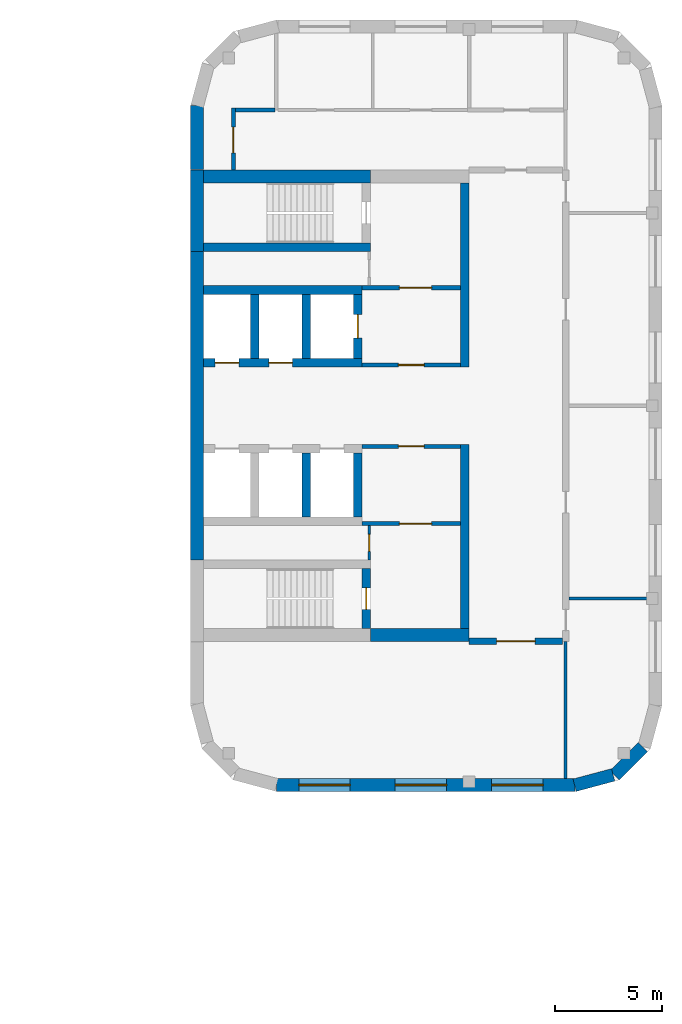
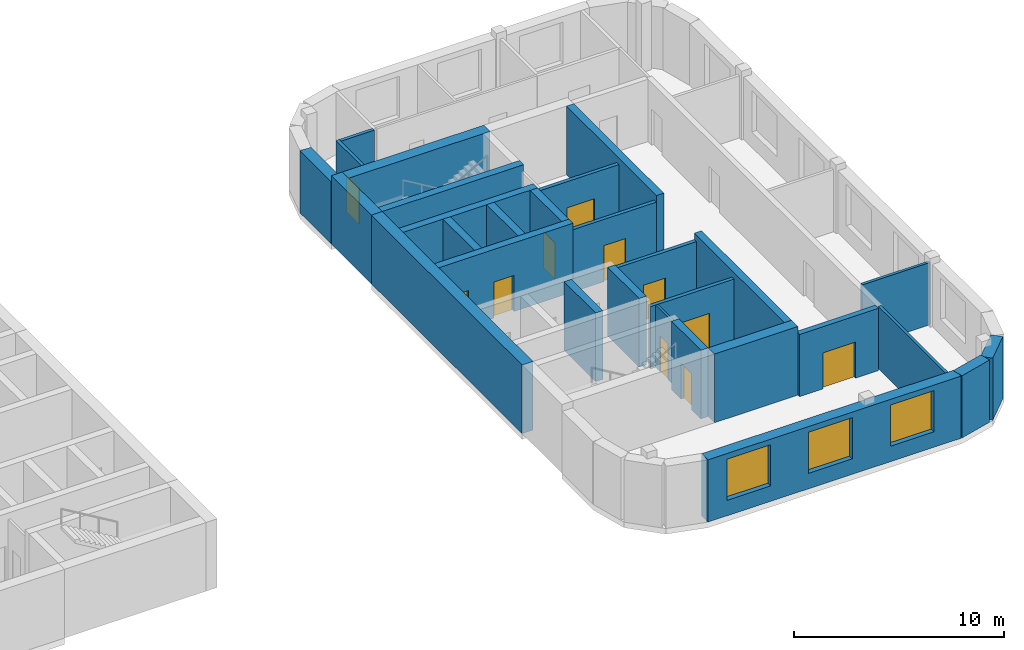
# One storey, part 7 of 10: 29 walls, 11 doors, 3 windows, 14 openings.
"""IFC4 building model written with IfcOpenShell, lengths in metres."""

from ifc_helpers import new_model, si_unit, direction, frame, frame_2d, origin, place, context, subcontext, project, spatial, rectangle, extrude, material, layer, layer_set, type_object, element, fill, save


model = new_model("IFC4")

# Units and contexts
model_context = context("Model", 3, precision=1e-05, world=origin(), true_north=direction((0.0, 1.0)))
body_context = subcontext(model_context, "Body", "Model", "MODEL_VIEW")
ifc_project = project(units=[si_unit("LENGTHUNIT", "METRE"), si_unit("AREAUNIT", "SQUARE_METRE"), si_unit("VOLUMEUNIT", "CUBIC_METRE"), si_unit("PLANEANGLEUNIT", "RADIAN"), si_unit("MASSUNIT", "GRAM", prefix="KILO")], contexts=[model_context])

# Site, building, storey
site_placement = place(None, origin())
site = spatial("IfcSite", under=ifc_project, at=site_placement, CompositionType="ELEMENT")
building_placement = place(site_placement, origin())
building = spatial("IfcBuilding", under=site, at=building_placement, Name="Skarvind Civic Tower", CompositionType="ELEMENT")
storey_placement = place(building_placement, frame((0.0, 0.0, 97.0)))
storey = spatial("IfcBuildingStorey", under=building, at=storey_placement, Name="L22", CompositionType="ELEMENT", Elevation=97.0)

# Wall, opening, door
ifc_material_1 = material(Name="Acoustic gypsum board on steel studs", Category="steel")
ifc_layer_1 = layer(ifc_material_1, 0.175048828125)
ifc_layer_set_1 = layer_set([ifc_layer_1], Name="ACOUSTIC MEETING-ROOM PARTITION 175")
wall_type_1 = type_object("IfcWallType", Name="ACOUSTIC MEETING-ROOM PARTITION 175", PredefinedType="PARTITIONING", material=ifc_layer_set_1)
wall_1_placement = place(storey_placement, frame((129.0, 139.0, 0.0), z_axis=(0.0, 0.0, 1.0), x_axis=(0.0, 1.0, 0.0)))
wall_1 = element("IfcWall", 1, at=wall_1_placement, inside=storey, type_object=wall_type_1, Name="Partition 22.001", PredefinedType="PARTITIONING", context=body_context, shape_type="SweptSolid", body=[
    extrude(rectangle(XDim=2.887939453125, YDim=0.175048828125, at=frame_2d((1.44384765625, 0.0))), origin(), (0.0, 0.0, 1.0), 3.625),
])
opening_1_placement = place(wall_1_placement, frame((0.800048828125, 0.0, 0.0)))
opening_1 = element("IfcOpeningElement", 2, at=opening_1_placement, cuts=wall_1, Name="Opening L22-D110", PredefinedType="OPENING", context=body_context, shape_type="SweptSolid", body=[
    extrude(rectangle(XDim=1.199951171875, YDim=2.10009765625, at=frame_2d((0.60009765625, 1.050048828125))), frame((0.0, 0.097412109375, 0.0), z_axis=(0.0, -1.0, 0.0), x_axis=(1.0, 0.0, 0.0)), (0.0, 0.0, 1.0), 0.195068359375),
])
ifc_material_2 = material(Name="Timber door leaf", Category="wood")
door_type_1 = type_object("IfcDoorType", Name="DOOR 1200X2100 DOUBLE TIMBER", OperationType="NOTDEFINED", PredefinedType="DOOR", material=ifc_material_2)
door_1_placement = place(opening_1_placement, origin())
door_1 = element("IfcDoor", 3, at=door_1_placement, inside=storey, type_object=door_type_1, Name="Door L22-D110", OperationType="DOUBLE_DOOR_SINGLE_SWING", OverallHeight=2.10009765625, OverallWidth=1.199951171875, PredefinedType="DOOR", context=body_context, shape_type="SweptSolid", body=[
    extrude(rectangle(XDim=1.199951171875, YDim=2.10009765625, at=frame_2d((0.60009765625, 1.050048828125))), frame((0.0, 0.02490234375, 0.0), z_axis=(0.0, -1.0, 0.0), x_axis=(1.0, 0.0, 0.0)), (0.0, 0.0, 1.0), 0.050048828125),
])
fill(opening_1, door_1)

# Wall
wall_2_placement = place(storey_placement, frame((129.087890625, 141.800048828125, 0.0), z_axis=(0.0, 0.0, 1.0), x_axis=(1.0, 0.0, 0.0)))
element("IfcWall", 4, at=wall_2_placement, inside=storey, type_object=wall_type_1, Name="Partition 22.002", PredefinedType="PARTITIONING", context=body_context, shape_type="SweptSolid", body=[
    extrude(rectangle(XDim=1.85302734375, YDim=0.175048828125, at=frame_2d((0.926513671875, 0.0))), origin(), (0.0, 0.0, 1.0), 3.625),
])

# Wall, opening, door
ifc_material_3 = material(Name="Fire-rated gypsum board on steel studs", Category="steel")
ifc_layer_2 = layer(ifc_material_3, 0.300048828125)
ifc_layer_set_2 = layer_set([ifc_layer_2], Name="CORRIDOR WALL 300")
wall_type_2 = type_object("IfcWallType", Name="CORRIDOR WALL 300", PredefinedType="PARTITIONING", material=ifc_layer_set_2)
wall_3_placement = place(storey_placement, frame((144.35009765625, 117.0, 0.0), z_axis=(0.0, 0.0, 1.0), x_axis=(-1.0, 0.0, 0.0)))
wall_3 = element("IfcWall", 5, at=wall_3_placement, inside=storey, type_object=wall_type_2, Name="Partition 22.009", PredefinedType="PARTITIONING", context=body_context, shape_type="SweptSolid", body=[
    extrude(rectangle(XDim=4.35009765625, YDim=0.300048828125, at=frame_2d((2.175048828125, 0.0))), origin(), (0.0, 0.0, 1.0), 3.625),
])
opening_2_placement = place(wall_3_placement, frame((1.2666015625, 0.0, 0.0)))
opening_2 = element("IfcOpeningElement", 6, at=opening_2_placement, cuts=wall_3, Name="Opening L22-D105", PredefinedType="OPENING", context=body_context, shape_type="SweptSolid", body=[
    extrude(rectangle(XDim=1.800048828125, YDim=2.10009765625, at=frame_2d((0.89990234375, 1.050048828125))), frame((0.0, 0.159912109375, 0.0), z_axis=(0.0, -1.0, 0.0), x_axis=(1.0, 0.0, 0.0)), (0.0, 0.0, 1.0), 0.320068359375),
])
ifc_material_4 = material(Name="Fire-rated timber door leaf", Category="wood")
door_type_2 = type_object("IfcDoorType", Name="FD4 1800x2100", OperationType="NOTDEFINED", PredefinedType="DOOR", material=ifc_material_4)
door_2_placement = place(opening_2_placement, origin())
door_2 = element("IfcDoor", 7, at=door_2_placement, inside=storey, type_object=door_type_2, Name="Door L22-D105", OperationType="DOUBLE_DOOR_SINGLE_SWING", OverallHeight=2.10009765625, OverallWidth=1.800048828125, PredefinedType="DOOR", context=body_context, shape_type="SweptSolid", body=[
    extrude(rectangle(XDim=1.800048828125, YDim=2.10009765625, at=frame_2d((0.89990234375, 1.050048828125))), frame((0.0, 0.02490234375, 0.0), z_axis=(0.0, -1.0, 0.0), x_axis=(1.0, 0.0, 0.0)), (0.0, 0.0, 1.0), 0.050048828125),
])
fill(opening_2, door_2)

ifc_material_5 = material(Name="Fire-rated masonry partition", Category="masonry")
ifc_layer_3 = layer(ifc_material_5, 0.199951171875)
ifc_layer_set_3 = layer_set([ifc_layer_3], Name="Core enclosure wall 200")
wall_type_3 = type_object("IfcWallType", Name="Core enclosure wall 200", PredefinedType="PARTITIONING", material=ifc_layer_set_3)
wall_4_placement = place(storey_placement, frame((135.0, 129.89990234375, 0.0), z_axis=(0.0, 0.0, 1.0), x_axis=(1.0, 0.0, 0.0)))
wall_4 = element("IfcWall", 8, at=wall_4_placement, inside=storey, type_object=wall_type_3, Name="Core wall CA", PredefinedType="PARTITIONING", context=body_context, shape_type="SweptSolid", body=[
    extrude(rectangle(XDim=4.60009765625, YDim=0.199951171875, at=frame_2d((2.300048828125, 0.0))), origin(), (0.0, 0.0, 1.0), 3.625),
])
opening_3_placement = place(wall_4_placement, frame((1.699951171875, 0.0, 0.0)))
opening_3 = element("IfcOpeningElement", 9, at=opening_3_placement, cuts=wall_4, Name="Opening D-L22-CA-06", PredefinedType="OPENING", context=body_context, shape_type="SweptSolid", body=[
    extrude(rectangle(XDim=1.199951171875, YDim=2.10009765625, at=frame_2d((0.60009765625, 1.050048828125))), frame((0.0, 0.10986328125, 0.0), z_axis=(0.0, -1.0, 0.0), x_axis=(1.0, 0.0, 0.0)), (0.0, 0.0, 1.0), 0.219970703125),
])
ifc_material_6 = material(Name="Fire-rated steel door", Category="steel")
door_type_3 = type_object("IfcDoorType", Name="Core lobby door 1200", OperationType="NOTDEFINED", PredefinedType="DOOR", material=ifc_material_6)
door_3_placement = place(opening_3_placement, origin())
door_3 = element("IfcDoor", 10, at=door_3_placement, inside=storey, type_object=door_type_3, Name="Fire door", OperationType="DOUBLE_DOOR_SINGLE_SWING", OverallHeight=2.10009765625, OverallWidth=1.199951171875, PredefinedType="DOOR", context=body_context, shape_type="SweptSolid", body=[
    extrude(rectangle(XDim=1.199951171875, YDim=2.10009765625, at=frame_2d((0.60009765625, 1.050048828125))), frame((0.0, 0.02490234375, 0.0), z_axis=(0.0, -1.0, 0.0), x_axis=(1.0, 0.0, 0.0)), (0.0, 0.0, 1.0), 0.050048828125),
])
fill(opening_3, door_3)

wall_5_placement = place(storey_placement, frame((135.0, 133.5, 0.0), z_axis=(0.0, 0.0, 1.0), x_axis=(1.0, 0.0, 0.0)))
wall_5 = element("IfcWall", 11, at=wall_5_placement, inside=storey, type_object=wall_type_3, Name="Core wall CA", PredefinedType="PARTITIONING", context=body_context, shape_type="SweptSolid", body=[
    extrude(rectangle(XDim=4.60009765625, YDim=0.199951171875, at=frame_2d((2.300048828125, 0.0))), origin(), (0.0, 0.0, 1.0), 3.625),
])
opening_4_placement = place(wall_5_placement, frame((1.75, 0.0, 0.0)))
opening_4 = element("IfcOpeningElement", 12, at=opening_4_placement, cuts=wall_5, Name="Opening D-L22-CA-07", PredefinedType="OPENING", context=body_context, shape_type="SweptSolid", body=[
    extrude(rectangle(XDim=1.5, YDim=2.10009765625, at=frame_2d((0.75, 1.050048828125))), frame((0.0, 0.10986328125, 0.0), z_axis=(0.0, -1.0, 0.0), x_axis=(1.0, 0.0, 0.0)), (0.0, 0.0, 1.0), 0.219970703125),
])
door_type_4 = type_object("IfcDoorType", Name="Fire door 1500", OperationType="NOTDEFINED", PredefinedType="DOOR", material=ifc_material_6)
door_4_placement = place(opening_4_placement, origin())
door_4 = element("IfcDoor", 13, at=door_4_placement, inside=storey, type_object=door_type_4, Name="Fire door", OperationType="DOUBLE_DOOR_SINGLE_SWING", OverallHeight=2.10009765625, OverallWidth=1.5, PredefinedType="DOOR", context=body_context, shape_type="SweptSolid", body=[
    extrude(rectangle(XDim=1.5, YDim=2.10009765625, at=frame_2d((0.75, 1.050048828125))), frame((0.0, 0.02490234375, 0.0), z_axis=(0.0, -1.0, 0.0), x_axis=(1.0, 0.0, 0.0)), (0.0, 0.0, 1.0), 0.050048828125),
])
fill(opening_4, door_4)

wall_6_placement = place(storey_placement, frame((139.60009765625, 126.10009765625, 0.0), z_axis=(0.0, 0.0, 1.0), x_axis=(-1.0, 0.0, 0.0)))
wall_6 = element("IfcWall", 14, at=wall_6_placement, inside=storey, type_object=wall_type_3, Name="Core wall CA", PredefinedType="PARTITIONING", context=body_context, shape_type="SweptSolid", body=[
    extrude(rectangle(XDim=4.60009765625, YDim=0.199951171875, at=frame_2d((2.300048828125, 0.0))), origin(), (0.0, 0.0, 1.0), 3.625),
])
opening_5_placement = place(wall_6_placement, frame((1.699951171875, 0.0, 0.0)))
opening_5 = element("IfcOpeningElement", 15, at=opening_5_placement, cuts=wall_6, Name="Opening D-L22-CA-10", PredefinedType="OPENING", context=body_context, shape_type="SweptSolid", body=[
    extrude(rectangle(XDim=1.199951171875, YDim=2.10009765625, at=frame_2d((0.60009765625, 1.050048828125))), frame((0.0, 0.10986328125, 0.0), z_axis=(0.0, -1.0, 0.0), x_axis=(1.0, 0.0, 0.0)), (0.0, 0.0, 1.0), 0.219970703125),
])
door_5_placement = place(opening_5_placement, origin())
door_5 = element("IfcDoor", 16, at=door_5_placement, inside=storey, type_object=door_type_3, Name="Fire door", OperationType="DOUBLE_DOOR_SINGLE_SWING", OverallHeight=2.10009765625, OverallWidth=1.199951171875, PredefinedType="DOOR", context=body_context, shape_type="SweptSolid", body=[
    extrude(rectangle(XDim=1.199951171875, YDim=2.10009765625, at=frame_2d((0.60009765625, 1.050048828125))), frame((0.0, 0.02490234375, 0.0), z_axis=(0.0, -1.0, 0.0), x_axis=(1.0, 0.0, 0.0)), (0.0, 0.0, 1.0), 0.050048828125),
])
fill(opening_5, door_5)

wall_7_placement = place(storey_placement, frame((139.60009765625, 122.5, 0.0), z_axis=(0.0, 0.0, 1.0), x_axis=(-1.0, 0.0, 0.0)))
wall_7 = element("IfcWall", 17, at=wall_7_placement, inside=storey, type_object=wall_type_3, Name="Core wall CA", PredefinedType="PARTITIONING", context=body_context, shape_type="SweptSolid", body=[
    extrude(rectangle(XDim=4.60009765625, YDim=0.199951171875, at=frame_2d((2.300048828125, 0.0))), origin(), (0.0, 0.0, 1.0), 3.625),
])
opening_6_placement = place(wall_7_placement, frame((1.35009765625, 0.0, 0.0)))
opening_6 = element("IfcOpeningElement", 18, at=opening_6_placement, cuts=wall_7, Name="Opening D-L22-CA-11", PredefinedType="OPENING", context=body_context, shape_type="SweptSolid", body=[
    extrude(rectangle(XDim=1.5, YDim=2.10009765625, at=frame_2d((0.75, 1.050048828125))), frame((0.0, 0.10986328125, 0.0), z_axis=(0.0, -1.0, 0.0), x_axis=(1.0, 0.0, 0.0)), (0.0, 0.0, 1.0), 0.219970703125),
])
door_6_placement = place(opening_6_placement, origin())
door_6 = element("IfcDoor", 19, at=door_6_placement, inside=storey, type_object=door_type_4, Name="Fire door", OperationType="DOUBLE_DOOR_SINGLE_SWING", OverallHeight=2.10009765625, OverallWidth=1.5, PredefinedType="DOOR", context=body_context, shape_type="SweptSolid", body=[
    extrude(rectangle(XDim=1.5, YDim=2.10009765625, at=frame_2d((0.75, 1.050048828125))), frame((0.0, 0.02490234375, 0.0), z_axis=(0.0, -1.0, 0.0), x_axis=(1.0, 0.0, 0.0)), (0.0, 0.0, 1.0), 0.050048828125),
])
fill(opening_6, door_6)

ifc_material_7 = material(Name="Concrete C80", Category="concrete")
ifc_layer_4 = layer(ifc_material_7, 0.39990234375)
ifc_layer_set_4 = layer_set([ifc_layer_4], Name="Core wall 400 C80")
wall_type_4 = type_object("IfcWallType", Name="Core wall 400 C80", PredefinedType="SHEAR", material=ifc_layer_set_4)
wall_8_placement = place(storey_placement, frame((135.199951171875, 117.60009765625, 0.0), z_axis=(0.0, 0.0, 1.0), x_axis=(0.0, 1.0, 0.0)))
wall_8 = element("IfcWall", 20, at=wall_8_placement, inside=storey, type_object=wall_type_4, Name="Core wall CA south stair end L22", PredefinedType="SHEAR", context=body_context, shape_type="SweptSolid", body=[
    extrude(rectangle(XDim=2.7998046875, YDim=0.39990234375, at=frame_2d((1.39990234375, 0.0))), origin(), (0.0, 0.0, 1.0), 4.0),
])
opening_7_placement = place(wall_8_placement, frame((0.89990234375, 0.0, 0.0)))
opening_7 = element("IfcOpeningElement", 21, at=opening_7_placement, cuts=wall_8, Name="Opening D-L22-CA-12", PredefinedType="OPENING", context=body_context, shape_type="SweptSolid", body=[
    extrude(rectangle(XDim=1.0, YDim=2.10009765625, at=frame_2d((0.5, 1.050048828125))), frame((0.0, 0.2099609375, 0.0), z_axis=(0.0, -1.0, 0.0), x_axis=(1.0, 0.0, 0.0)), (0.0, 0.0, 1.0), 0.419921875),
])
door_type_5 = type_object("IfcDoorType", Name="Fire door 1000", OperationType="NOTDEFINED", PredefinedType="DOOR", material=ifc_material_6)
door_7_placement = place(opening_7_placement, origin())
door_7 = element("IfcDoor", 22, at=door_7_placement, inside=storey, type_object=door_type_5, Name="Fire door", OperationType="SINGLE_SWING_RIGHT", OverallHeight=2.10009765625, OverallWidth=1.0, PredefinedType="DOOR", context=body_context, shape_type="SweptSolid", body=[
    extrude(rectangle(XDim=1.0, YDim=2.10009765625, at=frame_2d((0.5, 1.050048828125))), frame((0.0, 0.02490234375, 0.0), z_axis=(0.0, -1.0, 0.0), x_axis=(1.0, 0.0, 0.0)), (0.0, 0.0, 1.0), 0.050048828125),
])
fill(opening_7, door_7)

# Walls
wall_9_placement = place(storey_placement, frame((127.60009765625, 135.39990234375, 0.0), z_axis=(0.0, 0.0, 1.0), x_axis=(1.0, 0.0, 0.0)))
element("IfcWall", 23, at=wall_9_placement, inside=storey, type_object=wall_type_4, Name="Core wall CA north stair inner L22", PredefinedType="SHEAR", context=body_context, shape_type="SweptSolid", body=[
    extrude(rectangle(XDim=7.7998046875, YDim=0.39990234375, at=frame_2d((3.89990234375, 0.0))), origin(), (0.0, 0.0, 1.0), 4.0),
])
for number, where, z_axis, x_axis, name in (
    (24, (132.39990234375, 122.800048828125, 0.0), (0.0, 0.0, 1.0), (0.0, 1.0, 0.0), "Core wall CA south lift row division 2 L22"),
    (25, (134.800048828125, 122.800048828125, 0.0), (0.0, 0.0, 1.0), (0.0, 1.0, 0.0), "Core wall CA south lift row division 3 L22"),
):
    element("IfcWall", number, at=place(storey_placement, frame(where, z_axis=z_axis, x_axis=x_axis)), inside=storey, type_object=wall_type_4, Name=name, PredefinedType="SHEAR", context=body_context, shape_type="SweptSolid", body=[
        extrude(rectangle(XDim=3.0, YDim=0.39990234375, at=frame_2d((1.5, 0.0))), origin(), (0.0, 0.0, 1.0), 4.0),
    ])

# Wall, openings, doors
wall_10_placement = place(storey_placement, frame((127.60009765625, 130.0, 0.0), z_axis=(0.0, 0.0, 1.0), x_axis=(1.0, 0.0, 0.0)))
wall_10 = element("IfcWall", 26, at=wall_10_placement, inside=storey, type_object=wall_type_4, Name="Core wall CA north lift row front L22", PredefinedType="SHEAR", context=body_context, shape_type="SweptSolid", body=[
    extrude(rectangle(XDim=7.39990234375, YDim=0.39990234375, at=frame_2d((3.699951171875, 0.0))), origin(), (0.0, 0.0, 1.0), 4.0),
])
opening_8_placement = place(wall_10_placement, frame((0.550048828125, 0.0, 0.0)))
opening_8 = element("IfcOpeningElement", 27, at=opening_8_placement, cuts=wall_10, Name="Opening LD24301", PredefinedType="OPENING", context=body_context, shape_type="SweptSolid", body=[
    extrude(rectangle(XDim=1.10009765625, YDim=2.10009765625, at=frame_2d((0.550048828125, 1.050048828125))), frame((0.0, 0.2099609375, 0.0), z_axis=(0.0, -1.0, 0.0), x_axis=(1.0, 0.0, 0.0)), (0.0, 0.0, 1.0), 0.419921875),
])
opening_9_placement = place(wall_10_placement, frame((3.050048828125, 0.0, 0.0)))
opening_9 = element("IfcOpeningElement", 28, at=opening_9_placement, cuts=wall_10, Name="Opening LD24302", PredefinedType="OPENING", context=body_context, shape_type="SweptSolid", body=[
    extrude(rectangle(XDim=1.10009765625, YDim=2.10009765625, at=frame_2d((0.550048828125, 1.050048828125))), frame((0.0, 0.2099609375, 0.0), z_axis=(0.0, -1.0, 0.0), x_axis=(1.0, 0.0, 0.0)), (0.0, 0.0, 1.0), 0.419921875),
])
ifc_material_8 = material(Name="Stainless steel landing door", Category="steel")
door_type_6 = type_object("IfcDoorType", Name="Lift landing door 1100", OperationType="DOUBLE_DOOR_SLIDING", PredefinedType="DOOR", material=ifc_material_8)
door_8_placement = place(opening_8_placement, origin())
door_8 = element("IfcDoor", 29, at=door_8_placement, inside=storey, type_object=door_type_6, Name="Lift landing door", OperationType="DOUBLE_DOOR_SLIDING", OverallHeight=2.10009765625, OverallWidth=1.10009765625, PredefinedType="DOOR", context=body_context, shape_type="SweptSolid", body=[
    extrude(rectangle(XDim=1.10009765625, YDim=2.10009765625, at=frame_2d((0.550048828125, 1.050048828125))), frame((0.0, 0.02490234375, 0.0), z_axis=(0.0, -1.0, 0.0), x_axis=(1.0, 0.0, 0.0)), (0.0, 0.0, 1.0), 0.050048828125),
])
fill(opening_8, door_8)
door_9_placement = place(opening_9_placement, origin())
door_9 = element("IfcDoor", 30, at=door_9_placement, inside=storey, type_object=door_type_6, Name="Lift landing door", OperationType="DOUBLE_DOOR_SLIDING", OverallHeight=2.10009765625, OverallWidth=1.10009765625, PredefinedType="DOOR", context=body_context, shape_type="SweptSolid", body=[
    extrude(rectangle(XDim=1.10009765625, YDim=2.10009765625, at=frame_2d((0.550048828125, 1.050048828125))), frame((0.0, 0.02490234375, 0.0), z_axis=(0.0, -1.0, 0.0), x_axis=(1.0, 0.0, 0.0)), (0.0, 0.0, 1.0), 0.050048828125),
])
fill(opening_9, door_9)

# Walls
wall_11_placement = place(storey_placement, frame((127.60009765625, 133.39990234375, 0.0), z_axis=(0.0, 0.0, 1.0), x_axis=(1.0, 0.0, 0.0)))
element("IfcWall", 31, at=wall_11_placement, inside=storey, type_object=wall_type_4, Name="Core wall CA north lift row back L22", PredefinedType="SHEAR", context=body_context, shape_type="SweptSolid", body=[
    extrude(rectangle(XDim=7.39990234375, YDim=0.39990234375, at=frame_2d((3.699951171875, 0.0))), origin(), (0.0, 0.0, 1.0), 4.0),
])
for number, where, z_axis, x_axis, name in (
    (32, (130.0, 130.199951171875, 0.0), (0.0, 0.0, 1.0), (0.0, 1.0, 0.0), "Core wall CA north lift row division 1 L22"),
    (33, (132.39990234375, 130.199951171875, 0.0), (0.0, 0.0, 1.0), (0.0, 1.0, 0.0), "Core wall CA north lift row division 2 L22"),
):
    element("IfcWall", number, at=place(storey_placement, frame(where, z_axis=z_axis, x_axis=x_axis)), inside=storey, type_object=wall_type_4, Name=name, PredefinedType="SHEAR", context=body_context, shape_type="SweptSolid", body=[
        extrude(rectangle(XDim=3.0, YDim=0.39990234375, at=frame_2d((1.5, 0.0))), origin(), (0.0, 0.0, 1.0), 4.0),
    ])

# Wall, opening, door
wall_12_placement = place(storey_placement, frame((134.800048828125, 130.199951171875, 0.0), z_axis=(0.0, 0.0, 1.0), x_axis=(0.0, 1.0, 0.0)))
wall_12 = element("IfcWall", 34, at=wall_12_placement, inside=storey, type_object=wall_type_4, Name="Core wall CA north lift row division 3 L22", PredefinedType="SHEAR", context=body_context, shape_type="SweptSolid", body=[
    extrude(rectangle(XDim=3.0, YDim=0.39990234375, at=frame_2d((1.5, 0.0))), origin(), (0.0, 0.0, 1.0), 4.0),
])
opening_10_placement = place(wall_12_placement, frame((0.949951171875, 0.0, 0.0)))
opening_10 = element("IfcOpeningElement", 35, at=opening_10_placement, cuts=wall_12, Name="Opening LD24303", PredefinedType="OPENING", context=body_context, shape_type="SweptSolid", body=[
    extrude(rectangle(XDim=1.10009765625, YDim=2.10009765625, at=frame_2d((0.550048828125, 1.050048828125))), frame((0.0, 0.2099609375, 0.0), z_axis=(0.0, -1.0, 0.0), x_axis=(1.0, 0.0, 0.0)), (0.0, 0.0, 1.0), 0.419921875),
])
door_10_placement = place(opening_10_placement, origin())
door_10 = element("IfcDoor", 36, at=door_10_placement, inside=storey, type_object=door_type_6, Name="Lift landing door", OperationType="DOUBLE_DOOR_SLIDING", OverallHeight=2.10009765625, OverallWidth=1.10009765625, PredefinedType="DOOR", context=body_context, shape_type="SweptSolid", body=[
    extrude(rectangle(XDim=1.10009765625, YDim=2.10009765625, at=frame_2d((0.550048828125, 1.050048828125))), frame((0.0, 0.02490234375, 0.0), z_axis=(0.0, -1.0, 0.0), x_axis=(1.0, 0.0, 0.0)), (0.0, 0.0, 1.0), 0.050048828125),
])
fill(opening_10, door_10)

# Walls
for number, where, z_axis, x_axis, name in (
    (37, (139.800048828125, 117.60009765625, 0.0), (0.0, 0.0, 1.0), (0.0, 1.0, 0.0), "Core wall CA south inner face L22"),
    (38, (139.800048828125, 129.800048828125, 0.0), (0.0, 0.0, 1.0), (0.0, 1.0, 0.0), "Core wall CA north inner face L22"),
):
    element("IfcWall", number, at=place(storey_placement, frame(where, z_axis=z_axis, x_axis=x_axis)), inside=storey, type_object=wall_type_4, Name=name, PredefinedType="SHEAR", context=body_context, shape_type="SweptSolid", body=[
        extrude(rectangle(XDim=8.599853515625, YDim=0.39990234375, at=frame_2d((4.2998046875, 0.0))), origin(), (0.0, 0.0, 1.0), 4.0),
    ])
ifc_layer_5 = layer(ifc_material_7, 0.60009765625)
ifc_layer_set_5 = layer_set([ifc_layer_5], Name="Core wall 600 C80")
wall_type_5 = type_object("IfcWallType", Name="Core wall 600 C80", PredefinedType="SHEAR", material=ifc_layer_set_5)
wall_13_placement = place(storey_placement, frame((127.300048828125, 120.800048828125, 0.0), z_axis=(0.0, 0.0, 1.0), x_axis=(0.0, 1.0, 0.0)))
element("IfcWall", 39, at=wall_13_placement, inside=storey, type_object=wall_type_5, Name="Core wall CA tip between the stairs L22", PredefinedType="SHEAR", context=body_context, shape_type="SweptSolid", body=[
    extrude(rectangle(XDim=14.39990234375, YDim=0.60009765625, at=frame_2d((7.199951171875, 0.0))), origin(), (0.0, 0.0, 1.0), 4.0),
])
wall_14_placement = place(storey_placement, frame((127.300048828125, 135.199951171875, 0.0), z_axis=(0.0, 0.0, 1.0), x_axis=(0.0, 1.0, 0.0)))
element("IfcWall", 40, at=wall_14_placement, inside=storey, type_object=wall_type_5, Name="Core wall CA tip at the north stair L22", PredefinedType="SHEAR", context=body_context, shape_type="SweptSolid", body=[
    extrude(rectangle(XDim=3.800048828125, YDim=0.60009765625, at=frame_2d((1.89990234375, 0.0))), origin(), (0.0, 0.0, 1.0), 4.0),
])
wall_15_placement = place(storey_placement, frame((127.60009765625, 138.699951171875, 0.0), z_axis=(0.0, 0.0, 1.0), x_axis=(1.0, 0.0, 0.0)))
element("IfcWall", 41, at=wall_15_placement, inside=storey, type_object=wall_type_5, Name="Core wall CA north side at the stair L22", PredefinedType="SHEAR", context=body_context, shape_type="SweptSolid", body=[
    extrude(rectangle(XDim=7.7998046875, YDim=0.60009765625, at=frame_2d((3.89990234375, 0.0))), origin(), (0.0, 0.0, 1.0), 4.0),
])
wall_16_placement = place(storey_placement, frame((135.39990234375, 117.300048828125, 0.0), z_axis=(0.0, 0.0, 1.0), x_axis=(1.0, 0.0, 0.0)))
element("IfcWall", 42, at=wall_16_placement, inside=storey, type_object=wall_type_5, Name="Core wall CA south side L22", PredefinedType="SHEAR", context=body_context, shape_type="SweptSolid", body=[
    extrude(rectangle(XDim=4.60009765625, YDim=0.60009765625, at=frame_2d((2.300048828125, 0.0))), origin(), (0.0, 0.0, 1.0), 4.0),
])
ifc_material_9 = material(Name="Plasterboard partition on steel studs", Category="steel")
ifc_layer_6 = layer(ifc_material_9, 0.14990234375)
ifc_layer_set_6 = layer_set([ifc_layer_6], Name="PARTITION 150")
wall_type_6 = type_object("IfcWallType", Name="PARTITION 150", PredefinedType="PARTITIONING", material=ifc_layer_set_6)
wall_17_placement = place(storey_placement, frame((144.5, 117.0, 0.0), z_axis=(0.0, 0.0, 1.0), x_axis=(0.0, -1.0, 0.0)))
element("IfcWall", 43, at=wall_17_placement, inside=storey, type_object=wall_type_6, Name="Partition 22.010", PredefinedType="PARTITIONING", context=body_context, shape_type="SweptSolid", body=[
    extrude(rectangle(XDim=6.39990234375, YDim=0.14990234375, at=frame_2d((3.199951171875, 0.0))), origin(), (0.0, 0.0, 1.0), 3.625),
])
wall_18_placement = place(storey_placement, frame((144.64990234375, 119.0, 0.0), z_axis=(0.0, 0.0, 1.0), x_axis=(1.0, 0.0, 0.0)))
element("IfcWall", 44, at=wall_18_placement, inside=storey, type_object=wall_type_6, Name="Partition 22.011", PredefinedType="PARTITIONING", context=body_context, shape_type="SweptSolid", body=[
    extrude(rectangle(XDim=3.75, YDim=0.14990234375, at=frame_2d((1.875, 0.0))), origin(), (0.0, 0.0, 1.0), 3.625),
])

# Wall, opening, door
ifc_layer_7 = layer(ifc_material_5, 0.125)
ifc_layer_set_7 = layer_set([ifc_layer_7], Name="Riser wall 125")
wall_type_7 = type_object("IfcWallType", Name="Riser wall 125", PredefinedType="PARTITIONING", material=ifc_layer_set_7)
wall_19_placement = place(storey_placement, frame((135.33740234375, 122.39990234375, 0.0), z_axis=(0.0, 0.0, 1.0), x_axis=(0.0, -1.0, 0.0)))
wall_19 = element("IfcWall", 45, at=wall_19_placement, inside=storey, type_object=wall_type_7, Name="Core wall CA", PredefinedType="PARTITIONING", context=body_context, shape_type="SweptSolid", body=[
    extrude(rectangle(XDim=1.599853515625, YDim=0.125, at=frame_2d((0.7998046875, 0.0))), origin(), (0.0, 0.0, 1.0), 3.625),
])
opening_11_placement = place(wall_19_placement, frame((0.39990234375, 0.0, 0.0)))
opening_11 = element("IfcOpeningElement", 46, at=opening_11_placement, cuts=wall_19, Name="Opening D-L22-CA-13", PredefinedType="OPENING", context=body_context, shape_type="SweptSolid", body=[
    extrude(rectangle(XDim=0.800048828125, YDim=2.10009765625, at=frame_2d((0.39990234375, 1.050048828125))), frame((0.0, 0.072509765625, 0.0), z_axis=(0.0, -1.0, 0.0), x_axis=(1.0, 0.0, 0.0)), (0.0, 0.0, 1.0), 0.14501953125),
])
door_type_7 = type_object("IfcDoorType", Name="Core riser door 800", OperationType="NOTDEFINED", PredefinedType="DOOR", material=ifc_material_6)
door_11_placement = place(opening_11_placement, origin())
door_11 = element("IfcDoor", 47, at=door_11_placement, inside=storey, type_object=door_type_7, Name="Riser door", OperationType="SINGLE_SWING_LEFT", OverallHeight=2.10009765625, OverallWidth=0.800048828125, PredefinedType="DOOR", context=body_context, shape_type="SweptSolid", body=[
    extrude(rectangle(XDim=0.800048828125, YDim=2.10009765625, at=frame_2d((0.39990234375, 1.050048828125))), frame((0.0, 0.02490234375, 0.0), z_axis=(0.0, -1.0, 0.0), x_axis=(1.0, 0.0, 0.0)), (0.0, 0.0, 1.0), 0.050048828125),
])
fill(opening_11, door_11)

# Wall
ifc_material_10 = material(Name="Limestone masonry cladding on insulated backing", Category="masonry")
ifc_layer_8 = layer(ifc_material_10, 0.60009765625)
ifc_layer_set_8 = layer_set([ifc_layer_8], Name="WX1 STONE FACADE WALL 600")
wall_type_8 = type_object("IfcWallType", Name="WX1 STONE FACADE WALL 600", PredefinedType="SOLIDWALL", material=ifc_layer_set_8)
wall_20_placement = place(storey_placement, frame((127.300048828125, 139.02001953125, 0.0), z_axis=(0.0, 0.0, 1.0), x_axis=(0.0, 1.0, 0.0)))
element("IfcWall", 48, at=wall_20_placement, inside=storey, type_object=wall_type_8, Name="STONE FACADE WALL", PredefinedType="SOLIDWALL", context=body_context, shape_type="SweptSolid", body=[
    extrude(rectangle(XDim=2.97998046875, YDim=0.60009765625, at=frame_2d((1.489990234375, 0.0))), origin(), (0.0, 0.0, 1.0), 3.625),
])

# Wall, openings, windows
wall_21_placement = place(storey_placement, frame((144.929931640625, 110.300048828125, 0.0), z_axis=(0.0, 0.0, 1.0), x_axis=(-1.0, 0.0, 0.0)))
wall_21 = element("IfcWall", 49, at=wall_21_placement, inside=storey, type_object=wall_type_8, Name="STONE FACADE WALL", PredefinedType="SOLIDWALL", context=body_context, shape_type="SweptSolid", body=[
    extrude(rectangle(XDim=13.929931640625, YDim=0.60009765625, at=frame_2d((6.96484375, 0.0))), origin(), (0.0, 0.0, 1.0), 3.625),
])
opening_12_placement = place(wall_21_placement, frame((1.47998046875, 0.0, 0.89990234375)))
opening_12 = element("IfcOpeningElement", 50, at=opening_12_placement, cuts=wall_21, Name="Opening WN9", PredefinedType="OPENING", context=body_context, shape_type="SweptSolid", body=[
    extrude(rectangle(XDim=2.39990234375, YDim=2.39990234375, at=frame_2d((1.199951171875, 1.199951171875))), frame((0.0, 0.31005859375, 0.0), z_axis=(0.0, -1.0, 0.0), x_axis=(1.0, 0.0, 0.0)), (0.0, 0.0, 1.0), 0.6201171875),
])
opening_13_placement = place(wall_21_placement, frame((5.97998046875, 0.0, 0.89990234375)))
opening_13 = element("IfcOpeningElement", 51, at=opening_13_placement, cuts=wall_21, Name="Opening WN9", PredefinedType="OPENING", context=body_context, shape_type="SweptSolid", body=[
    extrude(rectangle(XDim=2.39990234375, YDim=2.39990234375, at=frame_2d((1.199951171875, 1.199951171875))), frame((0.0, 0.31005859375, 0.0), z_axis=(0.0, -1.0, 0.0), x_axis=(1.0, 0.0, 0.0)), (0.0, 0.0, 1.0), 0.6201171875),
])
opening_14_placement = place(wall_21_placement, frame((10.47998046875, 0.0, 0.89990234375)))
opening_14 = element("IfcOpeningElement", 52, at=opening_14_placement, cuts=wall_21, Name="Opening WN9", PredefinedType="OPENING", context=body_context, shape_type="SweptSolid", body=[
    extrude(rectangle(XDim=2.39990234375, YDim=2.39990234375, at=frame_2d((1.199951171875, 1.199951171875))), frame((0.0, 0.31005859375, 0.0), z_axis=(0.0, -1.0, 0.0), x_axis=(1.0, 0.0, 0.0)), (0.0, 0.0, 1.0), 0.6201171875),
])
ifc_material_11 = material(Name="Timber frame, double glazing, timber-lined reveal", Category="wood")
window_type = type_object("IfcWindowType", Name="WN9 COMPANION TOWER WINDOW 2400 x 2400", PartitioningType="SINGLE_PANEL", PredefinedType="WINDOW", material=ifc_material_11)
window_1_placement = place(opening_12_placement, origin())
window_1 = element("IfcWindow", 53, at=window_1_placement, inside=storey, type_object=window_type, Name="WN9 WINDOW", OverallHeight=2.39990234375, OverallWidth=2.39990234375, PartitioningType="SINGLE_PANEL", PredefinedType="WINDOW", context=body_context, shape_type="SweptSolid", body=[
    extrude(rectangle(XDim=2.39990234375, YDim=2.39990234375, at=frame_2d((1.199951171875, 1.199951171875))), frame((0.0, 0.030029296875, 0.0), z_axis=(0.0, -1.0, 0.0), x_axis=(1.0, 0.0, 0.0)), (0.0, 0.0, 1.0), 0.06005859375),
])
fill(opening_12, window_1)
window_2_placement = place(opening_13_placement, origin())
window_2 = element("IfcWindow", 54, at=window_2_placement, inside=storey, type_object=window_type, Name="WN9 WINDOW", OverallHeight=2.39990234375, OverallWidth=2.39990234375, PartitioningType="SINGLE_PANEL", PredefinedType="WINDOW", context=body_context, shape_type="SweptSolid", body=[
    extrude(rectangle(XDim=2.39990234375, YDim=2.39990234375, at=frame_2d((1.199951171875, 1.199951171875))), frame((0.0, 0.030029296875, 0.0), z_axis=(0.0, -1.0, 0.0), x_axis=(1.0, 0.0, 0.0)), (0.0, 0.0, 1.0), 0.06005859375),
])
fill(opening_13, window_2)
window_3_placement = place(opening_14_placement, origin())
window_3 = element("IfcWindow", 55, at=window_3_placement, inside=storey, type_object=window_type, Name="WN9 WINDOW", OverallHeight=2.39990234375, OverallWidth=2.39990234375, PartitioningType="SINGLE_PANEL", PredefinedType="WINDOW", context=body_context, shape_type="SweptSolid", body=[
    extrude(rectangle(XDim=2.39990234375, YDim=2.39990234375, at=frame_2d((1.199951171875, 1.199951171875))), frame((0.0, 0.030029296875, 0.0), z_axis=(0.0, -1.0, 0.0), x_axis=(1.0, 0.0, 0.0)), (0.0, 0.0, 1.0), 0.06005859375),
])
fill(opening_14, window_3)

# Walls
for number, where, z_axis, x_axis, name in (
    (56, (146.719482421875, 110.771240234375, 0.0), (0.0, 0.0, 1.0), (-0.965938094805, -0.258773254036, 0.0), "STONE FACADE WALL"),
    (57, (148.103515625, 112.063720703125, 0.0), (0.0, 0.0, 1.0), (-0.707106781187, -0.707106781187, 0.0), "STONE FACADE WALL"),
):
    element("IfcWall", number, at=place(storey_placement, frame(where, z_axis=z_axis, x_axis=x_axis)), inside=storey, type_object=wall_type_8, Name=name, PredefinedType="SOLIDWALL", context=body_context, shape_type="SweptSolid", body=[
        extrude(rectangle(XDim=1.860595703125, YDim=0.60009765625, at=frame_2d((0.93017578125, 0.0))), origin(), (0.0, 0.0, 1.0), 3.625),
    ])

save(model, "model.ifc")
